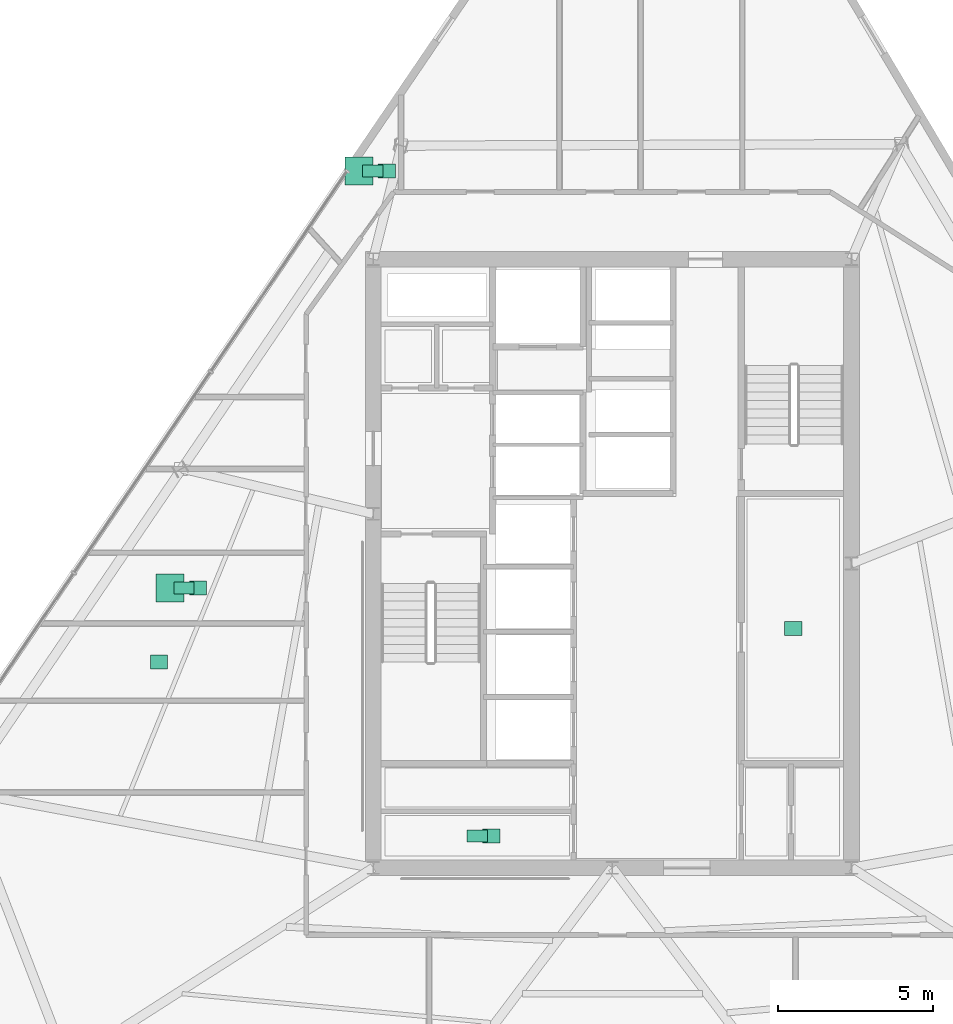
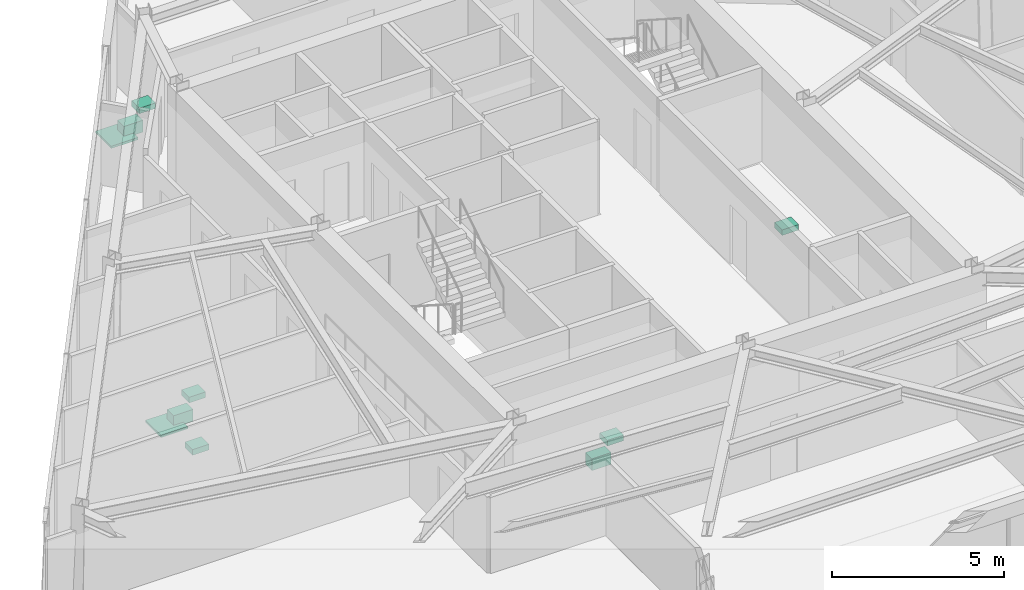
# One storey, part 15 of 15: 10 sanitary terminals.
"""IFC4 building model written with IfcOpenShell, lengths in metres."""

from ifc_helpers import new_model, si_unit, direction, frame, origin, origin_2d, place, context, subcontext, project, spatial, rectangle, extrude, material, type_object, element, save


model = new_model("IFC4")

# Units and contexts
model_context = context("Model", 3, precision=1e-05, world=origin(), true_north=direction((0.0, 1.0)))
body_context = subcontext(model_context, "Body", "Model", "MODEL_VIEW")
ifc_project = project(units=[si_unit("LENGTHUNIT", "METRE"), si_unit("AREAUNIT", "SQUARE_METRE"), si_unit("VOLUMEUNIT", "CUBIC_METRE"), si_unit("PLANEANGLEUNIT", "RADIAN"), si_unit("MASSUNIT", "GRAM", prefix="KILO")], contexts=[model_context])

# Site, building, storey
site_placement = place(None, origin())
site = spatial("IfcSite", under=ifc_project, at=site_placement, CompositionType="ELEMENT")
building_placement = place(site_placement, origin())
building = spatial("IfcBuilding", under=site, at=building_placement, Name="Savorim Split Tower", CompositionType="ELEMENT")
storey_placement = place(building_placement, frame((0.0, 0.0, 163.800048828125)))
storey = spatial("IfcBuildingStorey", under=building, at=storey_placement, Name="L43", CompositionType="ELEMENT", Elevation=163.800048828125)

# Sanitary terminals
ifc_material = material(Name="Vitreous China Sanitaryware")
sanitary_terminal_type_1 = type_object("IfcSanitaryTerminalType", Name="SAN-SHW-900", PredefinedType="SHOWER", material=ifc_material)
for number, where, z_axis, x_axis, name in (
    (1, (-14.2421875, -0.392578125, 0.0), (0.0, 0.0, 1.0), (1.0, 0.0, 0.0), "L43 Shared Bathroom Shower"),
    (2, (-8.16455078125, 13.0341796875, 0.0), (0.0, 0.0, 1.0), (1.0, 0.0, 0.0), "L43 Shared Bathroom Shower"),
):
    element("IfcSanitaryTerminal", number, at=place(storey_placement, frame(where, z_axis=z_axis, x_axis=x_axis)), inside=storey, type_object=sanitary_terminal_type_1, Name=name, PredefinedType="SHOWER", context=body_context, shape_type="SweptSolid", body=[
        extrude(rectangle(XDim=0.89990234375, YDim=0.89990234375, at=origin_2d()), origin(), (0.0, 0.0, 1.0), 0.080078125),
    ])
sanitary_terminal_type_2 = type_object("IfcSanitaryTerminalType", Name="SAN-WC-PAN", PredefinedType="TOILETPAN", material=ifc_material)
for number, where, z_axis, x_axis, name in (
    (3, (-4.35009765625, -8.3701171875, 0.0), (0.0, 0.0, 1.0), (1.0, 0.0, 0.0), "L43 Public WC WC Pan"),
    (4, (-13.7919921875, -0.392578125, 0.0), (0.0, 0.0, 1.0), (1.0, 0.0, 0.0), "L43 Shared Bathroom WC Pan"),
    (5, (-7.714599609375, 13.0341796875, 0.0), (0.0, 0.0, 1.0), (1.0, 0.0, 0.0), "L43 Shared Bathroom WC Pan"),
):
    element("IfcSanitaryTerminal", number, at=place(storey_placement, frame(where, z_axis=z_axis, x_axis=x_axis)), inside=storey, type_object=sanitary_terminal_type_2, Name=name, PredefinedType="TOILETPAN", context=body_context, shape_type="SweptSolid", body=[
        extrude(rectangle(XDim=0.64990234375, YDim=0.3798828125, at=origin_2d()), origin(), (0.0, 0.0, 1.0), 0.419921875),
    ])
sanitary_terminal_type_3 = type_object("IfcSanitaryTerminalType", Name="SAN-WHB-550", PredefinedType="WASHHANDBASIN", material=ifc_material)
for number, where, z_axis, x_axis, name in (
    (6, (5.824951171875, -1.699951171875, 0.75), (0.0, 0.0, 1.0), (1.0, 0.0, 0.0), "L43 Community Laundry Room Utility Sink"),
    (7, (-3.89990234375, -8.3701171875, 0.72021484375), (0.0, 0.0, 1.0), (1.0, 0.0, 0.0), "L43 Public WC Washhand Basin"),
    (8, (-13.342041015625, -0.392578125, 0.72021484375), (0.0, 0.0, 1.0), (1.0, 0.0, 0.0), "L43 Shared Bathroom Washhand Basin"),
    (9, (-14.602783203125, -2.7763671875, 0.75), (0.0, 0.0, 1.0), (1.0, 0.0, 0.0), "L43 Shared Kitchen Utility Sink"),
    (10, (-7.2646484375, 13.0341796875, 0.72021484375), (0.0, 0.0, 1.0), (1.0, 0.0, 0.0), "L43 Shared Bathroom Washhand Basin"),
):
    element("IfcSanitaryTerminal", number, at=place(storey_placement, frame(where, z_axis=z_axis, x_axis=x_axis)), inside=storey, type_object=sanitary_terminal_type_3, Name=name, PredefinedType="WASHHANDBASIN", context=body_context, shape_type="SweptSolid", body=[
        extrude(rectangle(XDim=0.550048828125, YDim=0.449951171875, at=origin_2d()), origin(), (0.0, 0.0, 1.0), 0.199951171875),
    ])

save(model, "model.ifc")
